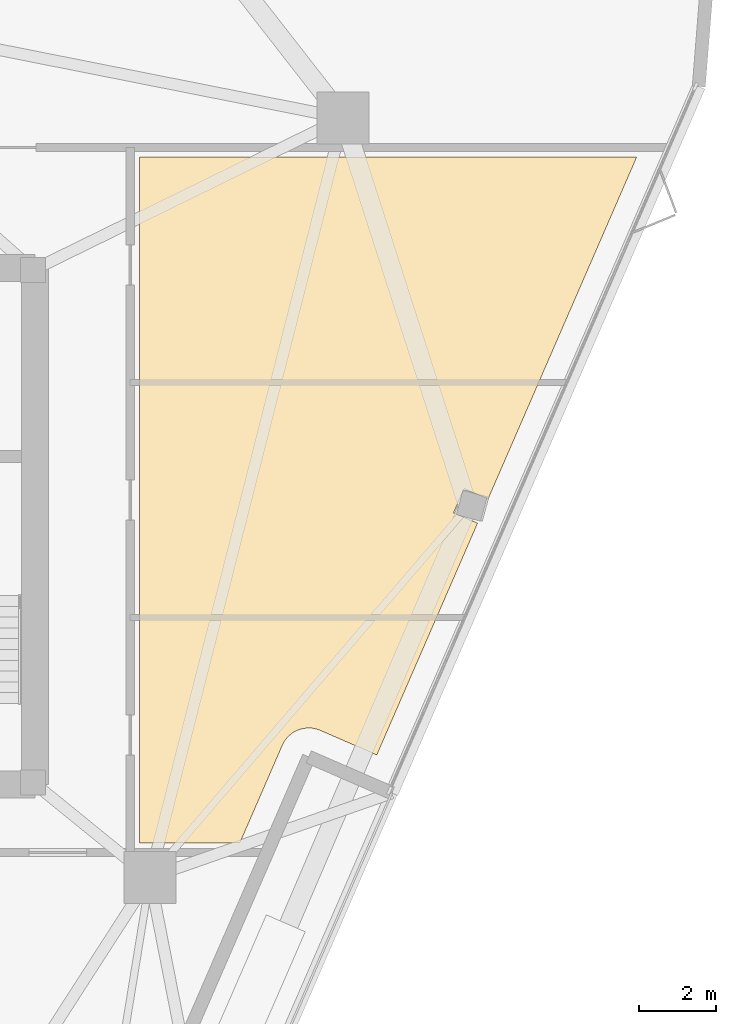
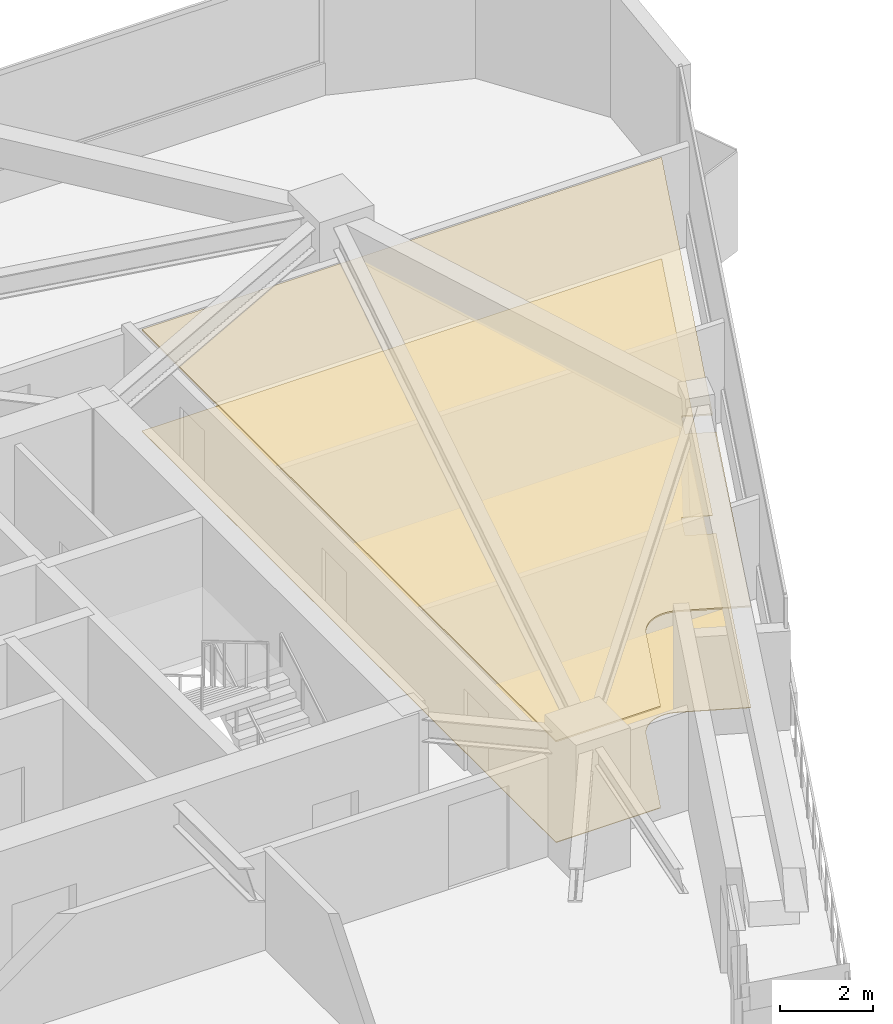
# One storey, part 11 of 11: 2 coverings.
"""IFC4 building model written with IfcOpenShell, lengths in metres."""

from ifc_helpers import new_model, si_unit, direction, frame, origin, place, context, subcontext, project, spatial, polyline, outline, extrude, material, layer, layer_set, type_object, element, save


model = new_model("IFC4")

# Units and contexts
model_context = context("Model", 3, precision=1e-05, world=origin(), true_north=direction((0.0, 1.0)))
body_context = subcontext(model_context, "Body", "Model", "MODEL_VIEW")
ifc_project = project(units=[si_unit("LENGTHUNIT", "METRE"), si_unit("AREAUNIT", "SQUARE_METRE"), si_unit("VOLUMEUNIT", "CUBIC_METRE"), si_unit("PLANEANGLEUNIT", "RADIAN"), si_unit("MASSUNIT", "GRAM", prefix="KILO")], contexts=[model_context])

# Site, building, storey
site_placement = place(None, origin())
site = spatial("IfcSite", under=ifc_project, at=site_placement, CompositionType="ELEMENT")
building_placement = place(site_placement, origin())
building = spatial("IfcBuilding", under=site, at=building_placement, Name="Talyreon Biosciences Tower", CompositionType="ELEMENT")
storey_placement = place(building_placement, frame((0.0, 0.0, 201.300048828125)))
storey = spatial("IfcBuildingStorey", under=building, at=storey_placement, Name="L53", CompositionType="ELEMENT", Elevation=201.300048828125)

# Coverings
ifc_material_1 = material(Name="Cleanable acoustic mineral-fibre ceiling tile", Category="gypsum")
ifc_layer_1 = layer(ifc_material_1, 0.0400390625)
ifc_layer_set_1 = layer_set([ifc_layer_1], Name="Cleanable acoustic mineral-fibre ceiling tile")
covering_type_1 = type_object("IfcCoveringType", Name="AcousticCleanroomCeiling_40", PredefinedType="CEILING", material=ifc_layer_set_1)
covering_1_placement = place(storey_placement, frame((0.0, 0.0, 2.639892578125)))
element("IfcCovering", 1, at=covering_1_placement, inside=storey, type_object=covering_type_1, Name="L53 Acoustic Laboratory Ceiling", PredefinedType="CEILING", context=body_context, shape_type="SweptSolid", body=[
    extrude(outline(polyline([(81.507568359375, 62.698974609375), (81.438720703125, 62.724853515625), (81.367431640625, 62.743896484375), (81.294921875, 62.756103515625), (81.221435546875, 62.760986328125), (81.14794921875, 62.758544921875), (81.074951171875, 62.7490234375), (81.003173828125, 62.732421875), (80.93359375, 62.708984375), (80.866455078125, 62.6787109375), (80.802734375, 62.641845703125), (80.742919921875, 62.59912109375), (80.6875, 62.550537109375), (80.63720703125, 62.496826171875), (80.59228515625, 62.4384765625), (80.55322265625, 62.3759765625), (80.520751953125, 62.31005859375), (79.4208984375, 59.780029296875), (76.820068359375, 59.780029296875), (76.820068359375, 77.580078125), (89.72021484375, 77.580078125), (85.861572265625, 68.702392578125), (85.2392578125, 68.972900390625), (84.968017578125, 68.349365234375), (85.59033203125, 68.078857421875), (82.974853515625, 62.061279296875), (81.507568359375, 62.698974609375)])), origin(), (0.0, 0.0, 1.0), 0.0400390625),
])
ifc_material_2 = material(Name="Chemical-resistant seamless epoxy resin flooring", Category="plastic")
ifc_layer_2 = layer(ifc_material_2, 0.014892578125)
ifc_layer_set_2 = layer_set([ifc_layer_2], Name="Chemical-resistant seamless epoxy resin flooring")
covering_type_2 = type_object("IfcCoveringType", Name="SeamlessEpoxyLabFlooring_15", PredefinedType="FLOORING", material=ifc_layer_set_2)
covering_2_placement = place(storey_placement, origin())
element("IfcCovering", 2, at=covering_2_placement, inside=storey, type_object=covering_type_2, Name="L53 Laboratory Floor Finish", PredefinedType="FLOORING", context=body_context, shape_type="SweptSolid", body=[
    extrude(outline(polyline([(81.507568359375, 62.698974609375), (81.438720703125, 62.724853515625), (81.367431640625, 62.743896484375), (81.294921875, 62.756103515625), (81.221435546875, 62.760986328125), (81.14794921875, 62.758544921875), (81.074951171875, 62.7490234375), (81.003173828125, 62.732421875), (80.93359375, 62.708984375), (80.866455078125, 62.6787109375), (80.802734375, 62.641845703125), (80.742919921875, 62.59912109375), (80.6875, 62.550537109375), (80.63720703125, 62.496826171875), (80.59228515625, 62.4384765625), (80.55322265625, 62.3759765625), (80.520751953125, 62.31005859375), (79.4208984375, 59.780029296875), (76.820068359375, 59.780029296875), (76.820068359375, 77.580078125), (89.72021484375, 77.580078125), (85.861572265625, 68.702392578125), (85.2392578125, 68.972900390625), (84.968017578125, 68.349365234375), (85.59033203125, 68.078857421875), (82.974853515625, 62.061279296875), (81.507568359375, 62.698974609375)])), origin(), (0.0, 0.0, 1.0), 0.014892578125),
])

save(model, "model.ifc")
